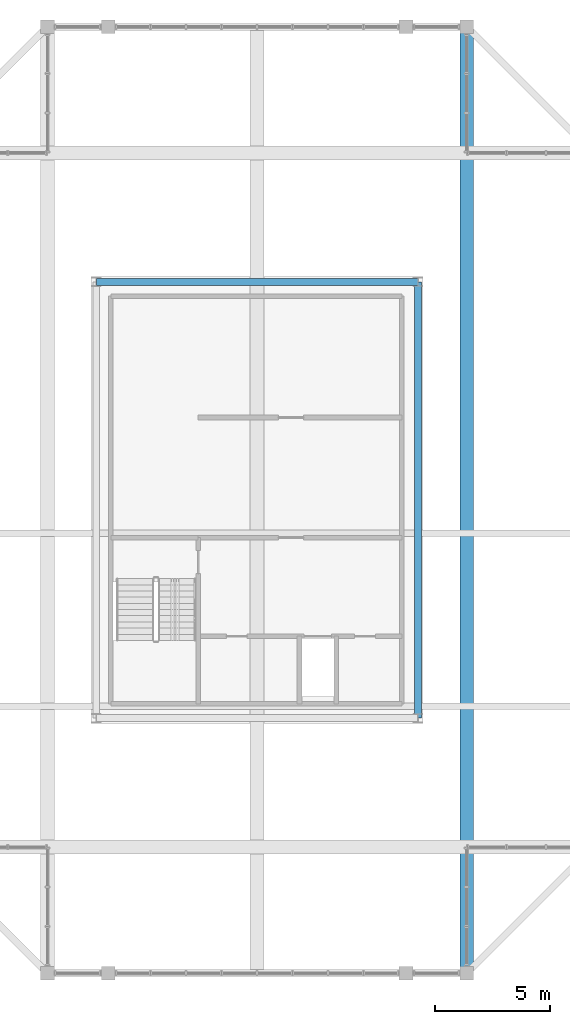
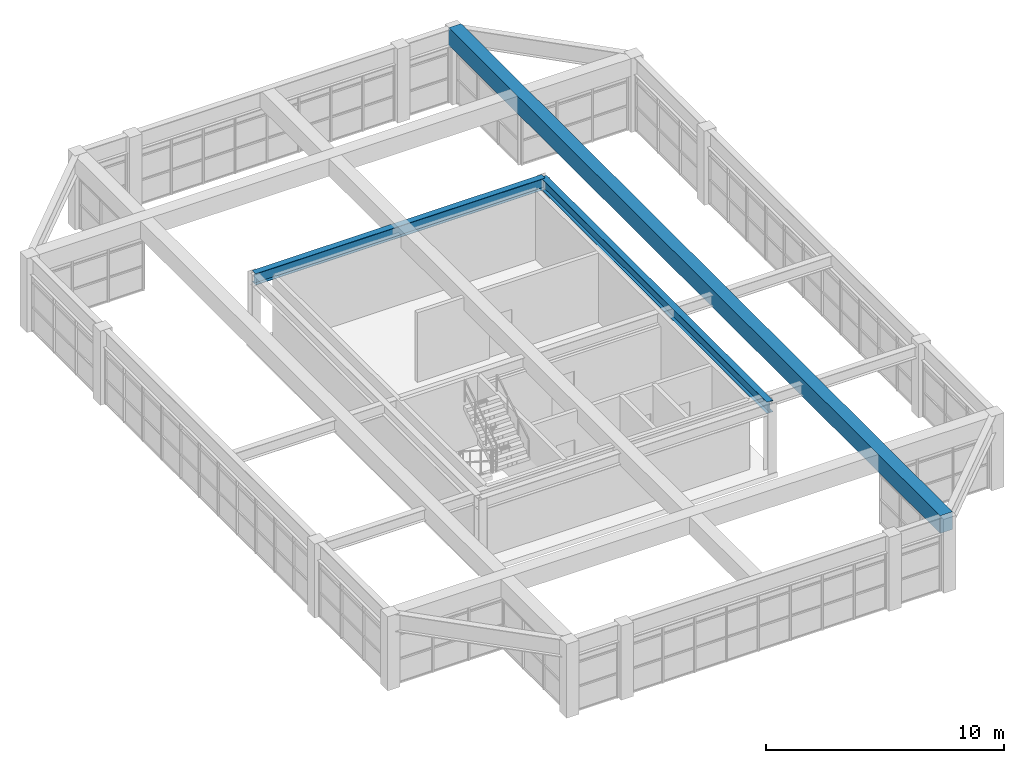
# One storey, part 14 of 28: 3 beams.
"""IFC4 building model written with IfcOpenShell, lengths in metres."""

import ifcopenshell
import ifcopenshell.guid

model = None  # the IFC model being written
_history = None  # IfcOwnerHistory: only IFC2X3 demands one
_inside = {}  # id of a spatial element -> (the spatial element, [elements in it])
_under = {}  # id of a project, library or spatial element -> (it, [spatial elements below it])
_declared = {}  # id of a project -> (the project, [libraries it declares])
_typed = {}  # id of a type object -> (the type object, [elements of that type])
_made_of = {}  # id of a material, layer set ... -> (it, [elements and type objects made of it])


def new_model(schema):
    """Start an empty IFC model of exactly this schema.

    Asked for "IFC4X3", IfcOpenShell would pick the latest addendum, in which some entities
    have other attributes; the version numbers below select the first issue.
    IFC2X3 requires an IfcOwnerHistory on every rooted entity: one is made here for all.
    """
    global model, _history
    if schema == "IFC4X3":
        model = ifcopenshell.file(schema_version=(4, 3, 0, 0))
    else:
        model = ifcopenshell.file(schema=schema)
    _inside.clear()
    _under.clear()
    _declared.clear()
    _typed.clear()
    _made_of.clear()
    _history = None
    if model.schema == "IFC2X3":
        org = make("IfcOrganization", Name="unknown")
        user = make(
            "IfcPersonAndOrganization",
            ThePerson=make("IfcPerson", FamilyName="unknown"),
            TheOrganization=org,
        )
        app = make(
            "IfcApplication",
            ApplicationDeveloper=org,
            Version="unknown",
            ApplicationFullName="unknown",
            ApplicationIdentifier="unknown",
        )
        _history = make(
            "IfcOwnerHistory",
            OwningUser=user,
            OwningApplication=app,
            ChangeAction="ADDED",
            CreationDate=0,
        )
    return model


def make(cls, **values):
    """One entity of the class cls with the attributes given. An attribute that is None is left unset."""
    return model.create_entity(
        cls, **{name: value for name, value in values.items() if value is not None}
    )


def rooted(cls, **values):
    """An entity with a GlobalId (a new one), such as an element, a storey or a relation."""
    return make(cls, GlobalId=ifcopenshell.guid.new(), OwnerHistory=_history, **values)


def si_unit(unit_type, name, prefix=None):
    """IfcSIUnit, for example si_unit("LENGTHUNIT", "METRE", prefix="MILLI")."""
    return make("IfcSIUnit", UnitType=unit_type, Prefix=prefix, Name=name)


def assignment(units):
    """IfcUnitAssignment: the units of a project."""
    return None if units is None else make("IfcUnitAssignment", Units=units)


def point(xyz):
    """IfcCartesianPoint."""
    return None if xyz is None else make("IfcCartesianPoint", Coordinates=xyz)


def direction(xyz):
    """IfcDirection."""
    return None if xyz is None else make("IfcDirection", DirectionRatios=xyz)


def frame(location, z_axis=None, x_axis=None):
    """IfcAxis2Placement3D, a coordinate frame: its origin and axes. An axis left out is left unset."""
    return make(
        "IfcAxis2Placement3D",
        Location=point(location),
        Axis=direction(z_axis),
        RefDirection=direction(x_axis),
    )


def frame_2d(location, x_axis=None):
    """IfcAxis2Placement2D, a coordinate frame in the plane: its origin and x axis."""
    return make(
        "IfcAxis2Placement2D", Location=point(location), RefDirection=direction(x_axis)
    )


def origin():
    """The frame at (0, 0, 0) with its axes left unset."""
    return frame((0.0, 0.0, 0.0))


def origin_2d():
    """The frame at (0, 0) in the plane with its x axis left unset."""
    return frame_2d((0.0, 0.0))


def place(relative_to, where):
    """IfcLocalPlacement: puts the frame where relative to a parent placement (None: the world)."""
    return make(
        "IfcLocalPlacement", PlacementRelTo=relative_to, RelativePlacement=where
    )


def context(
    kind, dimensions, precision=None, world=None, true_north=None, identifier=None
):
    """IfcGeometricRepresentationContext, for example the 3D "Model" context."""
    return make(
        "IfcGeometricRepresentationContext",
        ContextIdentifier=identifier,
        ContextType=kind,
        CoordinateSpaceDimension=dimensions,
        Precision=precision,
        WorldCoordinateSystem=world,
        TrueNorth=true_north,
    )


def subcontext(parent, identifier, kind, view, scale=None):
    """IfcGeometricRepresentationSubContext, for example "Body" below "Model"."""
    return make(
        "IfcGeometricRepresentationSubContext",
        ContextIdentifier=identifier,
        ContextType=kind,
        ParentContext=parent,
        TargetScale=scale,
        TargetView=view,
    )


def project(units=None, contexts=None):
    """IfcProject with its units and contexts."""
    return rooted(
        "IfcProject",
        Name="project",
        RepresentationContexts=contexts,
        UnitsInContext=assignment(units),
    )


def spatial(cls, under=None, at=None, **own):
    """A site, building, storey or space (cls), placed at a placement, below another one or the project."""
    s = rooted(cls, ObjectPlacement=at, **own)
    if under is not None:
        _under.setdefault(under.id(), (under, []))[1].append(s)
    return s


def profile(cls, at=None, kind="AREA", **sizes):
    """A parametric profile (cls). Its sizes go by their IFC names, for example OverallWidth=200.0."""
    return make(cls, ProfileType=kind, Position=at, **sizes)


def rectangle(**sizes):
    """IfcRectangleProfileDef."""
    return profile("IfcRectangleProfileDef", **sizes)


def i_section(**sizes):
    """IfcIShapeProfileDef."""
    return profile("IfcIShapeProfileDef", **sizes)


def extrude(swept, where, along, depth):
    """IfcExtrudedAreaSolid: the profile swept, set in the frame where, extruded along a direction by depth."""
    return make(
        "IfcExtrudedAreaSolid",
        SweptArea=swept,
        Position=where,
        ExtrudedDirection=direction(along),
        Depth=depth,
    )


def shape(context_of_items, identifier, shape_type, items):
    """IfcShapeRepresentation: the items that make up one representation, for example the "Body"."""
    return make(
        "IfcShapeRepresentation",
        ContextOfItems=context_of_items,
        RepresentationIdentifier=identifier,
        RepresentationType=shape_type,
        Items=items,
    )


def source(mapping_origin, context_of_items, identifier, shape_type, items):
    """IfcRepresentationMap: a shape defined once, which mapped items show again and again."""
    return make(
        "IfcRepresentationMap",
        MappingOrigin=mapping_origin,
        MappedRepresentation=shape(context_of_items, identifier, shape_type, items),
    )


def transform(
    local_origin,
    x_axis=None,
    y_axis=None,
    z_axis=None,
    scale=None,
    scale2=None,
    scale3=None,
    uniform=True,
):
    """IfcCartesianTransformationOperator3D, or its non-uniform kind. x_axis, y_axis, z_axis: its Axis1, 2, 3."""
    if uniform:
        return make(
            "IfcCartesianTransformationOperator3D",
            Axis1=direction(x_axis),
            Axis2=direction(y_axis),
            LocalOrigin=point(local_origin),
            Scale=scale,
            Axis3=direction(z_axis),
        )
    return make(
        "IfcCartesianTransformationOperator3DnonUniform",
        Axis1=direction(x_axis),
        Axis2=direction(y_axis),
        LocalOrigin=point(local_origin),
        Scale=scale,
        Axis3=direction(z_axis),
        Scale2=scale2,
        Scale3=scale3,
    )


def mapped(mapping_source, mapping_target):
    """IfcMappedItem: shows the shape of a source again, moved by a transform."""
    return make(
        "IfcMappedItem", MappingSource=mapping_source, MappingTarget=mapping_target
    )


def material(Name=None, Category=None):
    """IfcMaterial."""
    return make("IfcMaterial", Name=Name, Category=Category)


def material_profile(
    of_material, cross_section, Name=None, Category=None, Priority=None
):
    """IfcMaterialProfile: a cross section and its material."""
    return make(
        "IfcMaterialProfile",
        Name=Name,
        Material=of_material,
        Profile=cross_section,
        Priority=Priority,
        Category=Category,
    )


def profile_set(profiles, Name=None, composite=None):
    """IfcMaterialProfileSet."""
    return make(
        "IfcMaterialProfileSet",
        Name=Name,
        MaterialProfiles=profiles,
        CompositeProfile=composite,
    )


def made_of(thing, what):
    """Note that an element or type object is made of a material, layer set ...; save() writes the relation."""
    if what is not None:
        _made_of.setdefault(what.id(), (what, []))[1].append(thing)
    return thing


def type_object(cls, material=None, **own):
    """A type object (cls), such as IfcWallType, which elements share."""
    return made_of(rooted(cls, **own), material)


def element(
    cls,
    number,
    at=None,
    inside=None,
    cuts=None,
    type_object=None,
    material=None,
    context=None,
    identifier="Body",
    shape_type=None,
    held_by="IfcProductDefinitionShape",
    body=None,
    shapes=None,
    **own,
):
    """One element of the class cls, such as IfcWall. Its Tag is "e" and its number.

    at: its placement. inside: the storey or other place that contains it. cuts: it is an
    opening in that element (IfcRelVoidsElement). A single representation is given by context,
    identifier, shape_type and body (its items); several are given by shapes. held_by: the class
    of the entity that holds the representations. save() writes the other relations.
    """
    e = rooted(cls, Tag="e%d" % number, ObjectPlacement=at, **own)
    if body is not None:
        shapes = [shape(context, identifier, shape_type, body)]
    if shapes is not None:
        e.Representation = make(held_by, Representations=shapes)
    if inside is not None:
        _inside.setdefault(inside.id(), (inside, []))[1].append(e)
    if cuts is not None:
        rooted(
            "IfcRelVoidsElement", RelatingBuildingElement=cuts, RelatedOpeningElement=e
        )
    if type_object is not None:
        _typed.setdefault(type_object.id(), (type_object, []))[1].append(e)
    return made_of(e, material)


def aggregate(whole, parts):
    """IfcRelAggregates: a whole, such as a stair, and the parts it consists of."""
    return rooted("IfcRelAggregates", RelatingObject=whole, RelatedObjects=parts)


def save(model, path):
    """Write the relations noted so far, then the file.

    IfcRelAggregates (storeys below a building ...), IfcRelContainedInSpatialStructure (elements
    in a storey), IfcRelDefinesByType, IfcRelAssociatesMaterial and IfcRelDeclares: one each for
    every whole, place, type object, material and project.
    """
    for whole, parts in _under.values():
        aggregate(whole, parts)
    for where, things in _inside.values():
        rooted(
            "IfcRelContainedInSpatialStructure",
            RelatedElements=things,
            RelatingStructure=where,
        )
    for kind, things in _typed.values():
        rooted("IfcRelDefinesByType", RelatedObjects=things, RelatingType=kind)
    for what, things in _made_of.values():
        rooted("IfcRelAssociatesMaterial", RelatedObjects=things, RelatingMaterial=what)
    for by, libraries in _declared.values():
        rooted("IfcRelDeclares", RelatingContext=by, RelatedDefinitions=libraries)
    model.write(path)


model = new_model("IFC4")

# Units and contexts
model_context = context("Model", 3, precision=1e-05, world=origin(), true_north=direction((0.0, 1.0)))
body_context = subcontext(model_context, "Body", "Model", "MODEL_VIEW")
ifc_project = project(units=[si_unit("LENGTHUNIT", "METRE"), si_unit("AREAUNIT", "SQUARE_METRE"), si_unit("VOLUMEUNIT", "CUBIC_METRE"), si_unit("PLANEANGLEUNIT", "RADIAN"), si_unit("MASSUNIT", "GRAM", prefix="KILO")], contexts=[model_context])

# Site, building, storey
site_placement = place(None, origin())
site = spatial("IfcSite", under=ifc_project, at=site_placement, CompositionType="ELEMENT")
building_placement = place(site_placement, origin())
building = spatial("IfcBuilding", under=site, at=building_placement, Name="Saelheon Loggia Tower", CompositionType="ELEMENT")
storey_placement = place(building_placement, frame((0.0, 0.0, 271.199951171875)))
storey = spatial("IfcBuildingStorey", under=building, at=storey_placement, Name="CR6", CompositionType="ELEMENT", Elevation=271.199951171875)

# Beams
ifc_material_1 = material(Name="Steel SM355", Category="steel")
ifc_material_profile_1 = material_profile(ifc_material_1, i_section(OverallWidth=0.300048828125, OverallDepth=0.587890625, WebThickness=0.011962890625, FlangeThickness=0.02001953125, at=origin_2d()), Name="H-588x300x12x20")
ifc_profile_set_1 = profile_set([ifc_material_profile_1], Name="Steel SM355")
beam_type_1 = type_object("IfcBeamType", Name="Beam_Girder_Steel_H588", PredefinedType="BEAM", material=ifc_profile_set_1)
shared_shape_1 = source(origin(), body_context, "Body", "SweptSolid", [
    extrude(i_section(OverallWidth=0.300048828125, OverallDepth=0.587890625, WebThickness=0.011962890625, FlangeThickness=0.02001953125, at=origin_2d()), origin(), (0.0, 0.0, 1.0), 14.0400390625),
])
beam_1_placement = place(storey_placement, frame((30.97998046875, 36.52001953125, 3.276123046875), z_axis=(1.0, 0.0, 0.0), x_axis=(0.0, 1.0, 0.0)))
element("IfcBeam", 1, at=beam_1_placement, inside=storey, type_object=beam_type_1, Name="BM-CR6-PL-N", PredefinedType="BEAM", context=body_context, shape_type="MappedRepresentation", body=[
    mapped(shared_shape_1, transform((0.0, 0.0, 0.0), scale=1.0)),
])
shared_shape_2 = source(origin(), body_context, "Body", "SweptSolid", [
    extrude(i_section(OverallWidth=0.300048828125, OverallDepth=0.587890625, WebThickness=0.011962890625, FlangeThickness=0.02001953125, at=origin_2d()), origin(), (0.0, 0.0, 1.0), 19.0400390625),
])
beam_2_placement = place(storey_placement, frame((45.02001953125, 17.47998046875, 3.276123046875), z_axis=(0.0, 1.0, 0.0), x_axis=(-1.0, 0.0, 0.0)))
element("IfcBeam", 2, at=beam_2_placement, inside=storey, type_object=beam_type_1, Name="BM-CR6-PL-E", PredefinedType="BEAM", context=body_context, shape_type="MappedRepresentation", body=[
    mapped(shared_shape_2, transform((0.0, 0.0, 0.0), scale=1.0)),
])
ifc_material_2 = material(Name="Precast Concrete C45/55", Category="concrete")
ifc_material_profile_2 = material_profile(ifc_material_2, rectangle(XDim=0.60009765625, YDim=0.89990234375, at=origin_2d()), Name="RC-600x900")
ifc_profile_set_2 = profile_set([ifc_material_profile_2], Name="Precast Concrete C45/55")
beam_type_2 = type_object("IfcBeamType", Name="CrownFrame_Ring_RC600x900", PredefinedType="BEAM", material=ifc_profile_set_2)
shared_shape_3 = source(origin(), body_context, "Body", "SweptSolid", [
    extrude(rectangle(XDim=0.60009765625, YDim=0.89990234375, at=origin_2d()), origin(), (0.0, 0.0, 1.0), 41.2998046875),
])
beam_3_placement = place(storey_placement, frame((47.14990234375, 6.35009765625, 3.35009765625), z_axis=(0.0, 1.0, 0.0), x_axis=(-1.0, 0.0, 0.0)))
element("IfcBeam", 3, at=beam_3_placement, inside=storey, type_object=beam_type_2, Name="CF-RING-CR6-RAF-E", PredefinedType="BEAM", context=body_context, shape_type="MappedRepresentation", body=[
    mapped(shared_shape_3, transform((0.0, 0.0, 0.0), scale=1.0)),
])

save(model, "model.ifc")
